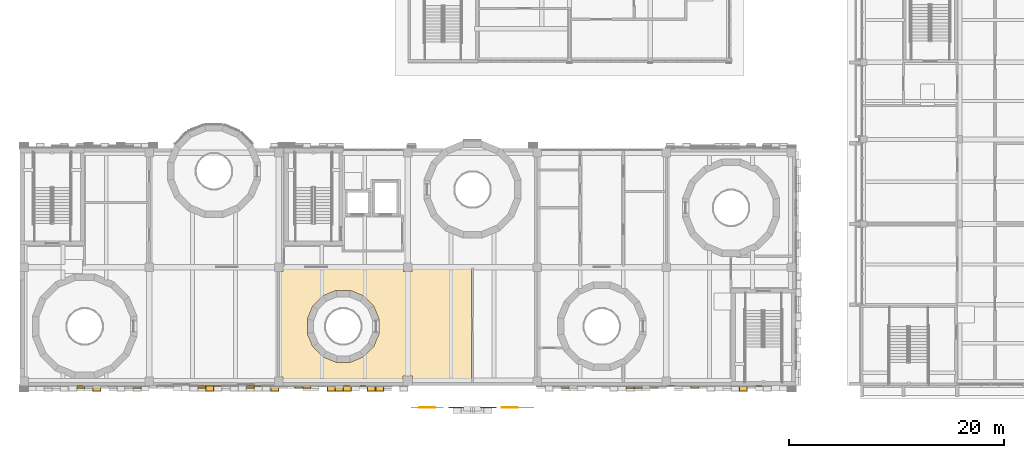
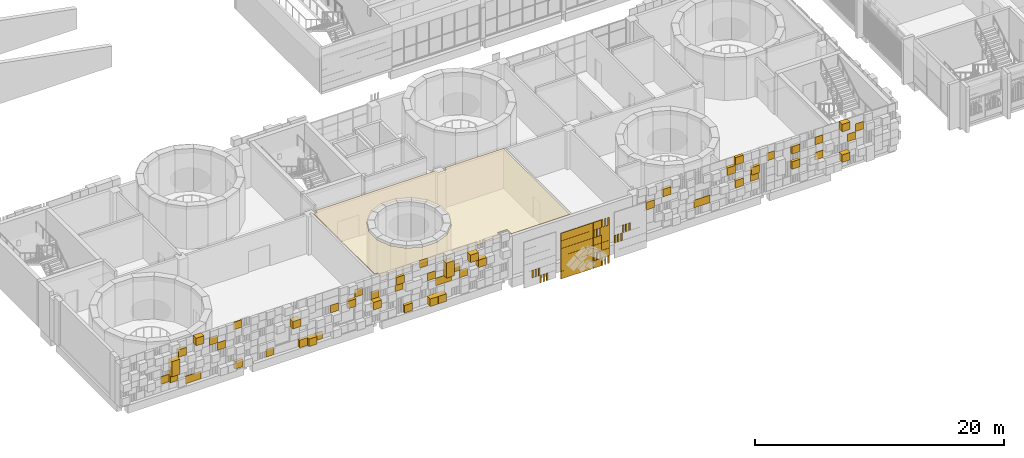
# One storey, part 64 of 92: 6 coverings.
"""IFC4 building model written with IfcOpenShell, lengths in metres."""

import ifcopenshell
import ifcopenshell.guid

model = None  # the IFC model being written
_history = None  # IfcOwnerHistory: only IFC2X3 demands one
_inside = {}  # id of a spatial element -> (the spatial element, [elements in it])
_under = {}  # id of a project, library or spatial element -> (it, [spatial elements below it])
_declared = {}  # id of a project -> (the project, [libraries it declares])
_typed = {}  # id of a type object -> (the type object, [elements of that type])
_made_of = {}  # id of a material, layer set ... -> (it, [elements and type objects made of it])


def new_model(schema):
    """Start an empty IFC model of exactly this schema.

    Asked for "IFC4X3", IfcOpenShell would pick the latest addendum, in which some entities
    have other attributes; the version numbers below select the first issue.
    IFC2X3 requires an IfcOwnerHistory on every rooted entity: one is made here for all.
    """
    global model, _history
    if schema == "IFC4X3":
        model = ifcopenshell.file(schema_version=(4, 3, 0, 0))
    else:
        model = ifcopenshell.file(schema=schema)
    _inside.clear()
    _under.clear()
    _declared.clear()
    _typed.clear()
    _made_of.clear()
    _history = None
    if model.schema == "IFC2X3":
        org = make("IfcOrganization", Name="unknown")
        user = make(
            "IfcPersonAndOrganization",
            ThePerson=make("IfcPerson", FamilyName="unknown"),
            TheOrganization=org,
        )
        app = make(
            "IfcApplication",
            ApplicationDeveloper=org,
            Version="unknown",
            ApplicationFullName="unknown",
            ApplicationIdentifier="unknown",
        )
        _history = make(
            "IfcOwnerHistory",
            OwningUser=user,
            OwningApplication=app,
            ChangeAction="ADDED",
            CreationDate=0,
        )
    return model


def make(cls, **values):
    """One entity of the class cls with the attributes given. An attribute that is None is left unset."""
    return model.create_entity(
        cls, **{name: value for name, value in values.items() if value is not None}
    )


def rooted(cls, **values):
    """An entity with a GlobalId (a new one), such as an element, a storey or a relation."""
    return make(cls, GlobalId=ifcopenshell.guid.new(), OwnerHistory=_history, **values)


def si_unit(unit_type, name, prefix=None):
    """IfcSIUnit, for example si_unit("LENGTHUNIT", "METRE", prefix="MILLI")."""
    return make("IfcSIUnit", UnitType=unit_type, Prefix=prefix, Name=name)


def assignment(units):
    """IfcUnitAssignment: the units of a project."""
    return None if units is None else make("IfcUnitAssignment", Units=units)


def point(xyz):
    """IfcCartesianPoint."""
    return None if xyz is None else make("IfcCartesianPoint", Coordinates=xyz)


def direction(xyz):
    """IfcDirection."""
    return None if xyz is None else make("IfcDirection", DirectionRatios=xyz)


def frame(location, z_axis=None, x_axis=None):
    """IfcAxis2Placement3D, a coordinate frame: its origin and axes. An axis left out is left unset."""
    return make(
        "IfcAxis2Placement3D",
        Location=point(location),
        Axis=direction(z_axis),
        RefDirection=direction(x_axis),
    )


def frame_2d(location, x_axis=None):
    """IfcAxis2Placement2D, a coordinate frame in the plane: its origin and x axis."""
    return make(
        "IfcAxis2Placement2D", Location=point(location), RefDirection=direction(x_axis)
    )


def origin():
    """The frame at (0, 0, 0) with its axes left unset."""
    return frame((0.0, 0.0, 0.0))


def origin_2d():
    """The frame at (0, 0) in the plane with its x axis left unset."""
    return frame_2d((0.0, 0.0))


def place(relative_to, where):
    """IfcLocalPlacement: puts the frame where relative to a parent placement (None: the world)."""
    return make(
        "IfcLocalPlacement", PlacementRelTo=relative_to, RelativePlacement=where
    )


def context(
    kind, dimensions, precision=None, world=None, true_north=None, identifier=None
):
    """IfcGeometricRepresentationContext, for example the 3D "Model" context."""
    return make(
        "IfcGeometricRepresentationContext",
        ContextIdentifier=identifier,
        ContextType=kind,
        CoordinateSpaceDimension=dimensions,
        Precision=precision,
        WorldCoordinateSystem=world,
        TrueNorth=true_north,
    )


def subcontext(parent, identifier, kind, view, scale=None):
    """IfcGeometricRepresentationSubContext, for example "Body" below "Model"."""
    return make(
        "IfcGeometricRepresentationSubContext",
        ContextIdentifier=identifier,
        ContextType=kind,
        ParentContext=parent,
        TargetScale=scale,
        TargetView=view,
    )


def project(units=None, contexts=None):
    """IfcProject with its units and contexts."""
    return rooted(
        "IfcProject",
        Name="project",
        RepresentationContexts=contexts,
        UnitsInContext=assignment(units),
    )


def spatial(cls, under=None, at=None, **own):
    """A site, building, storey or space (cls), placed at a placement, below another one or the project."""
    s = rooted(cls, ObjectPlacement=at, **own)
    if under is not None:
        _under.setdefault(under.id(), (under, []))[1].append(s)
    return s


def polyline(points):
    """IfcPolyline through the points."""
    return make("IfcPolyline", Points=[point(p) for p in points])


def profile(cls, at=None, kind="AREA", **sizes):
    """A parametric profile (cls). Its sizes go by their IFC names, for example OverallWidth=200.0."""
    return make(cls, ProfileType=kind, Position=at, **sizes)


def rectangle(**sizes):
    """IfcRectangleProfileDef."""
    return profile("IfcRectangleProfileDef", **sizes)


def outline(outer, holes=None, kind="AREA"):
    """IfcArbitraryClosedProfileDef: a profile drawn as a closed curve; with holes, ...WithVoids."""
    if holes is None:
        return make("IfcArbitraryClosedProfileDef", ProfileType=kind, OuterCurve=outer)
    return make(
        "IfcArbitraryProfileDefWithVoids",
        ProfileType=kind,
        OuterCurve=outer,
        InnerCurves=holes,
    )


def extrude(swept, where, along, depth):
    """IfcExtrudedAreaSolid: the profile swept, set in the frame where, extruded along a direction by depth."""
    return make(
        "IfcExtrudedAreaSolid",
        SweptArea=swept,
        Position=where,
        ExtrudedDirection=direction(along),
        Depth=depth,
    )


def shape(context_of_items, identifier, shape_type, items):
    """IfcShapeRepresentation: the items that make up one representation, for example the "Body"."""
    return make(
        "IfcShapeRepresentation",
        ContextOfItems=context_of_items,
        RepresentationIdentifier=identifier,
        RepresentationType=shape_type,
        Items=items,
    )


def material(Name=None, Category=None):
    """IfcMaterial."""
    return make("IfcMaterial", Name=Name, Category=Category)


def layer(
    of_material, thickness, ventilated=None, Name=None, Category=None, Priority=None
):
    """IfcMaterialLayer: one layer of a wall or slab, of a material (None: an air gap)."""
    return make(
        "IfcMaterialLayer",
        Material=of_material,
        LayerThickness=thickness,
        IsVentilated=ventilated,
        Name=Name,
        Category=Category,
        Priority=Priority,
    )


def layer_set(layers, Name=None):
    """IfcMaterialLayerSet."""
    return make("IfcMaterialLayerSet", MaterialLayers=layers, LayerSetName=Name)


def made_of(thing, what):
    """Note that an element or type object is made of a material, layer set ...; save() writes the relation."""
    if what is not None:
        _made_of.setdefault(what.id(), (what, []))[1].append(thing)
    return thing


def type_object(cls, material=None, **own):
    """A type object (cls), such as IfcWallType, which elements share."""
    return made_of(rooted(cls, **own), material)


def element(
    cls,
    number,
    at=None,
    inside=None,
    cuts=None,
    type_object=None,
    material=None,
    context=None,
    identifier="Body",
    shape_type=None,
    held_by="IfcProductDefinitionShape",
    body=None,
    shapes=None,
    **own,
):
    """One element of the class cls, such as IfcWall. Its Tag is "e" and its number.

    at: its placement. inside: the storey or other place that contains it. cuts: it is an
    opening in that element (IfcRelVoidsElement). A single representation is given by context,
    identifier, shape_type and body (its items); several are given by shapes. held_by: the class
    of the entity that holds the representations. save() writes the other relations.
    """
    e = rooted(cls, Tag="e%d" % number, ObjectPlacement=at, **own)
    if body is not None:
        shapes = [shape(context, identifier, shape_type, body)]
    if shapes is not None:
        e.Representation = make(held_by, Representations=shapes)
    if inside is not None:
        _inside.setdefault(inside.id(), (inside, []))[1].append(e)
    if cuts is not None:
        rooted(
            "IfcRelVoidsElement", RelatingBuildingElement=cuts, RelatedOpeningElement=e
        )
    if type_object is not None:
        _typed.setdefault(type_object.id(), (type_object, []))[1].append(e)
    return made_of(e, material)


def aggregate(whole, parts):
    """IfcRelAggregates: a whole, such as a stair, and the parts it consists of."""
    return rooted("IfcRelAggregates", RelatingObject=whole, RelatedObjects=parts)


def save(model, path):
    """Write the relations noted so far, then the file.

    IfcRelAggregates (storeys below a building ...), IfcRelContainedInSpatialStructure (elements
    in a storey), IfcRelDefinesByType, IfcRelAssociatesMaterial and IfcRelDeclares: one each for
    every whole, place, type object, material and project.
    """
    for whole, parts in _under.values():
        aggregate(whole, parts)
    for where, things in _inside.values():
        rooted(
            "IfcRelContainedInSpatialStructure",
            RelatedElements=things,
            RelatingStructure=where,
        )
    for kind, things in _typed.values():
        rooted("IfcRelDefinesByType", RelatedObjects=things, RelatingType=kind)
    for what, things in _made_of.values():
        rooted("IfcRelAssociatesMaterial", RelatedObjects=things, RelatingMaterial=what)
    for by, libraries in _declared.values():
        rooted("IfcRelDeclares", RelatingContext=by, RelatedDefinitions=libraries)
    model.write(path)


model = new_model("IFC4")

# Units and contexts
model_context = context("Model", 3, precision=1e-05, world=origin(), true_north=direction((0.0, 1.0)))
body_context = subcontext(model_context, "Body", "Model", "MODEL_VIEW")
ifc_project = project(units=[si_unit("LENGTHUNIT", "METRE"), si_unit("AREAUNIT", "SQUARE_METRE"), si_unit("VOLUMEUNIT", "CUBIC_METRE"), si_unit("PLANEANGLEUNIT", "RADIAN"), si_unit("MASSUNIT", "GRAM", prefix="KILO")], contexts=[model_context])

# Site, building, storey
site_placement = place(None, origin())
site = spatial("IfcSite", under=ifc_project, at=site_placement, CompositionType="ELEMENT")
building_placement = place(site_placement, origin())
building = spatial("IfcBuilding", under=site, at=building_placement, Name="Sun Court Science Centre", CompositionType="ELEMENT")
storey_placement = place(building_placement, frame((0.0, 0.0, 11.25)))
storey = spatial("IfcBuildingStorey", under=building, at=storey_placement, Name="L02", CompositionType="ELEMENT", Elevation=11.25)

# Coverings
ifc_material_1 = material(Name="Gypsum board")
ifc_layer_1 = layer(ifc_material_1, 0.030029296875)
ifc_layer_set_1 = layer_set([ifc_layer_1], Name="Gypsum board")
covering_type_1 = type_object("IfcCoveringType", Name="Ceiling suspended 600 module", PredefinedType="CEILING", material=ifc_layer_set_1)
covering_1_placement = place(storey_placement, frame((0.0, 0.0, 3.919921875)))
element("IfcCovering", 1, at=covering_1_placement, inside=storey, type_object=covering_type_1, Name="L02-016 ceiling", PredefinedType="CEILING", context=body_context, shape_type="SweptSolid", body=[
    extrude(outline(polyline([(24.10009765625, 16.60009765625), (24.39990234375, 16.60009765625), (24.39990234375, 16.89990234375), (35.60009765625, 16.89990234375), (35.60009765625, 16.60009765625), (36.39990234375, 16.60009765625), (36.39990234375, 16.89990234375), (41.89990234375, 16.89990234375), (41.89990234375, 6.199951171875), (36.449951171875, 6.199951171875), (36.449951171875, 6.89990234375), (35.550048828125, 6.89990234375), (35.550048828125, 6.199951171875), (24.39990234375, 6.199951171875), (24.39990234375, 6.800048828125), (24.10009765625, 6.800048828125), (24.10009765625, 16.60009765625)]), holes=[polyline([(31.888916015625, 14.326904296875), (30.663330078125, 14.834716796875), (29.336669921875, 14.834716796875), (28.111083984375, 14.326904296875), (27.173095703125, 13.388916015625), (26.665283203125, 12.163330078125), (26.665283203125, 10.836669921875), (27.173095703125, 9.611083984375), (28.111083984375, 8.673095703125), (29.336669921875, 8.165283203125), (30.663330078125, 8.165283203125), (31.888916015625, 8.673095703125), (32.826904296875, 9.611083984375), (33.334716796875, 10.836669921875), (33.334716796875, 12.163330078125), (32.826904296875, 13.388916015625), (31.888916015625, 14.326904296875)])]), origin(), (0.0, 0.0, 1.0), 0.030029296875),
])
ifc_material_2 = material(Name="Red sandstone", Category="masonry")
ifc_layer_2 = layer(ifc_material_2, 0.06005859375)
ifc_layer_set_2 = layer_set([ifc_layer_2], Name="Red sandstone")
covering_type_2 = type_object("IfcCoveringType", Name="Red sandstone jali relief 750", PredefinedType="CLADDING", material=ifc_layer_set_2)
covering_2_placement = place(storey_placement, frame((0.0, 0.0, -11.25)))
element("IfcCovering", 2, at=covering_2_placement, inside=storey, type_object=covering_type_2, Name="Red sandstone jali relief portal-PORTAL-L L02", PredefinedType="CLADDING", context=body_context, shape_type="SweptSolid", body=[
    extrude(rectangle(XDim=0.139892578125, YDim=0.06005859375, at=origin_2d()), frame((38.47509765625, 3.969970703125, 11.2548828125), z_axis=(0.0, 0.0, 1.0), x_axis=(-1.0, 0.0, 0.0)), (0.0, 0.0, 1.0), 0.739990234375),
    extrude(rectangle(XDim=0.139892578125, YDim=0.06005859375, at=origin_2d()), frame((38.175048828125, 3.969970703125, 11.2548828125), z_axis=(0.0, 0.0, 1.0), x_axis=(-1.0, 0.0, 0.0)), (0.0, 0.0, 1.0), 0.739990234375),
    extrude(rectangle(XDim=0.139892578125, YDim=0.06005859375, at=origin_2d()), frame((37.875, 3.969970703125, 11.2548828125), z_axis=(0.0, 0.0, 1.0), x_axis=(-1.0, 0.0, 0.0)), (0.0, 0.0, 1.0), 0.739990234375),
    extrude(rectangle(XDim=0.139892578125, YDim=0.06005859375, at=origin_2d()), frame((37.72509765625, 3.969970703125, 12.0048828125), z_axis=(0.0, 0.0, 1.0), x_axis=(-1.0, 0.0, 0.0)), (0.0, 0.0, 1.0), 0.739990234375),
    extrude(rectangle(XDim=0.139892578125, YDim=0.06005859375, at=origin_2d()), frame((37.425048828125, 3.969970703125, 12.0048828125), z_axis=(0.0, 0.0, 1.0), x_axis=(-1.0, 0.0, 0.0)), (0.0, 0.0, 1.0), 0.739990234375),
    extrude(rectangle(XDim=0.139892578125, YDim=0.06005859375, at=origin_2d()), frame((37.125, 3.969970703125, 12.0048828125), z_axis=(0.0, 0.0, 1.0), x_axis=(-1.0, 0.0, 0.0)), (0.0, 0.0, 1.0), 0.739990234375),
])
covering_3_placement = place(storey_placement, frame((0.0, 0.0, -11.25)))
element("IfcCovering", 3, at=covering_3_placement, inside=storey, type_object=covering_type_2, Name="Red sandstone jali relief portal-PORTAL-R L02", PredefinedType="CLADDING", context=body_context, shape_type="SweptSolid", body=[
    extrude(rectangle(XDim=0.139892578125, YDim=0.06005859375, at=origin_2d()), frame((45.375, 3.969970703125, 12.7548828125), z_axis=(0.0, 0.0, 1.0), x_axis=(-1.0, 0.0, 0.0)), (0.0, 0.0, 1.0), 0.739990234375),
    extrude(rectangle(XDim=0.139892578125, YDim=0.06005859375, at=origin_2d()), frame((45.074951171875, 3.969970703125, 12.7548828125), z_axis=(0.0, 0.0, 1.0), x_axis=(-1.0, 0.0, 0.0)), (0.0, 0.0, 1.0), 0.739990234375),
    extrude(rectangle(XDim=0.139892578125, YDim=0.06005859375, at=origin_2d()), frame((44.77490234375, 3.969970703125, 12.7548828125), z_axis=(0.0, 0.0, 1.0), x_axis=(-1.0, 0.0, 0.0)), (0.0, 0.0, 1.0), 0.739990234375),
    extrude(rectangle(XDim=0.139892578125, YDim=0.06005859375, at=origin_2d()), frame((46.125, 3.969970703125, 13.5048828125), z_axis=(0.0, 0.0, 1.0), x_axis=(-1.0, 0.0, 0.0)), (0.0, 0.0, 1.0), 0.739990234375),
    extrude(rectangle(XDim=0.139892578125, YDim=0.06005859375, at=origin_2d()), frame((45.824951171875, 3.969970703125, 13.5048828125), z_axis=(0.0, 0.0, 1.0), x_axis=(-1.0, 0.0, 0.0)), (0.0, 0.0, 1.0), 0.739990234375),
    extrude(rectangle(XDim=0.139892578125, YDim=0.06005859375, at=origin_2d()), frame((45.52490234375, 3.969970703125, 13.5048828125), z_axis=(0.0, 0.0, 1.0), x_axis=(-1.0, 0.0, 0.0)), (0.0, 0.0, 1.0), 0.739990234375),
])
covering_4_placement = place(storey_placement, frame((0.0, 0.0, -11.25)))
element("IfcCovering", 4, at=covering_4_placement, inside=storey, type_object=covering_type_2, Name="Red sandstone jali relief portal-PORTAL-H L02", PredefinedType="CLADDING", context=body_context, shape_type="SweptSolid", body=[
    extrude(rectangle(XDim=0.139892578125, YDim=0.06005859375, at=origin_2d()), frame((44.175048828125, 3.969970703125, 10.955078125), z_axis=(0.0, 0.0, 1.0), x_axis=(-1.0, 0.0, 0.0)), (0.0, 0.0, 1.0), 0.739990234375),
    extrude(rectangle(XDim=0.139892578125, YDim=0.06005859375, at=origin_2d()), frame((43.875, 3.969970703125, 10.955078125), z_axis=(0.0, 0.0, 1.0), x_axis=(-1.0, 0.0, 0.0)), (0.0, 0.0, 1.0), 0.739990234375),
    extrude(rectangle(XDim=0.139892578125, YDim=0.06005859375, at=origin_2d()), frame((43.574951171875, 3.969970703125, 10.955078125), z_axis=(0.0, 0.0, 1.0), x_axis=(-1.0, 0.0, 0.0)), (0.0, 0.0, 1.0), 0.739990234375),
    extrude(rectangle(XDim=0.139892578125, YDim=0.06005859375, at=origin_2d()), frame((43.425048828125, 3.969970703125, 11.705078125), z_axis=(0.0, 0.0, 1.0), x_axis=(-1.0, 0.0, 0.0)), (0.0, 0.0, 1.0), 0.739990234375),
    extrude(rectangle(XDim=0.139892578125, YDim=0.06005859375, at=origin_2d()), frame((43.125, 3.969970703125, 11.705078125), z_axis=(0.0, 0.0, 1.0), x_axis=(-1.0, 0.0, 0.0)), (0.0, 0.0, 1.0), 0.739990234375),
    extrude(rectangle(XDim=0.139892578125, YDim=0.06005859375, at=origin_2d()), frame((42.824951171875, 3.969970703125, 11.705078125), z_axis=(0.0, 0.0, 1.0), x_axis=(-1.0, 0.0, 0.0)), (0.0, 0.0, 1.0), 0.739990234375),
    extrude(rectangle(XDim=0.139892578125, YDim=0.06005859375, at=origin_2d()), frame((43.425048828125, 3.969970703125, 13.955078125), z_axis=(0.0, 0.0, 1.0), x_axis=(-1.0, 0.0, 0.0)), (0.0, 0.0, 1.0), 0.739990234375),
    extrude(rectangle(XDim=0.139892578125, YDim=0.06005859375, at=origin_2d()), frame((43.125, 3.969970703125, 13.955078125), z_axis=(0.0, 0.0, 1.0), x_axis=(-1.0, 0.0, 0.0)), (0.0, 0.0, 1.0), 0.739990234375),
    extrude(rectangle(XDim=0.139892578125, YDim=0.06005859375, at=origin_2d()), frame((42.824951171875, 3.969970703125, 13.955078125), z_axis=(0.0, 0.0, 1.0), x_axis=(-1.0, 0.0, 0.0)), (0.0, 0.0, 1.0), 0.739990234375),
    extrude(rectangle(XDim=0.139892578125, YDim=0.06005859375, at=origin_2d()), frame((44.175048828125, 3.969970703125, 14.705078125), z_axis=(0.0, 0.0, 1.0), x_axis=(-1.0, 0.0, 0.0)), (0.0, 0.0, 1.0), 0.739990234375),
    extrude(rectangle(XDim=0.139892578125, YDim=0.06005859375, at=origin_2d()), frame((43.875, 3.969970703125, 14.705078125), z_axis=(0.0, 0.0, 1.0), x_axis=(-1.0, 0.0, 0.0)), (0.0, 0.0, 1.0), 0.739990234375),
    extrude(rectangle(XDim=0.139892578125, YDim=0.06005859375, at=origin_2d()), frame((43.574951171875, 3.969970703125, 14.705078125), z_axis=(0.0, 0.0, 1.0), x_axis=(-1.0, 0.0, 0.0)), (0.0, 0.0, 1.0), 0.739990234375),
    extrude(rectangle(XDim=0.739990234375, YDim=0.06005859375, at=origin_2d()), frame((43.875, 3.969970703125, 11.705078125), z_axis=(0.0, 0.0, 1.0), x_axis=(-1.0, 0.0, 0.0)), (0.0, 0.0, 1.0), 0.739990234375),
    extrude(rectangle(XDim=0.739990234375, YDim=0.06005859375, at=origin_2d()), frame((43.875, 3.969970703125, 12.455078125), z_axis=(0.0, 0.0, 1.0), x_axis=(-1.0, 0.0, 0.0)), (0.0, 0.0, 1.0), 0.739990234375),
    extrude(rectangle(XDim=0.739990234375, YDim=0.06005859375, at=origin_2d()), frame((43.875, 3.969970703125, 13.205078125), z_axis=(0.0, 0.0, 1.0), x_axis=(-1.0, 0.0, 0.0)), (0.0, 0.0, 1.0), 0.739990234375),
    extrude(rectangle(XDim=0.739990234375, YDim=0.06005859375, at=origin_2d()), frame((43.875, 3.969970703125, 13.955078125), z_axis=(0.0, 0.0, 1.0), x_axis=(-1.0, 0.0, 0.0)), (0.0, 0.0, 1.0), 0.739990234375),
])
ifc_material_3 = material(Name="Red sandstone", Category="masonry")
ifc_layer_3 = layer(ifc_material_3, 0.06005859375)
ifc_layer_set_3 = layer_set([ifc_layer_3], Name="Red sandstone")
covering_type_3 = type_object("IfcCoveringType", Name="Red sandstone wall cladding 750", PredefinedType="CLADDING", material=ifc_layer_set_3)
covering_5_placement = place(storey_placement, frame((0.0, 0.0, -11.25)))
element("IfcCovering", 5, at=covering_5_placement, inside=storey, type_object=covering_type_3, Name="Red sandstone wall cladding portal-PORTAL-H L02", PredefinedType="CLADDING", context=body_context, shape_type="SweptSolid", body=[
    extrude(rectangle(XDim=0.739990234375, YDim=0.06005859375, at=origin_2d()), frame((43.125, 3.969970703125, 10.955078125), z_axis=(0.0, 0.0, 1.0), x_axis=(-1.0, 0.0, 0.0)), (0.0, 0.0, 1.0), 0.739990234375),
    extrude(rectangle(XDim=0.739990234375, YDim=0.06005859375, at=origin_2d()), frame((42.375, 3.969970703125, 10.955078125), z_axis=(0.0, 0.0, 1.0), x_axis=(-1.0, 0.0, 0.0)), (0.0, 0.0, 1.0), 0.739990234375),
    extrude(rectangle(XDim=0.739990234375, YDim=0.06005859375, at=origin_2d()), frame((41.625, 3.969970703125, 10.955078125), z_axis=(0.0, 0.0, 1.0), x_axis=(-1.0, 0.0, 0.0)), (0.0, 0.0, 1.0), 0.739990234375),
    extrude(rectangle(XDim=0.739990234375, YDim=0.06005859375, at=origin_2d()), frame((40.875, 3.969970703125, 10.955078125), z_axis=(0.0, 0.0, 1.0), x_axis=(-1.0, 0.0, 0.0)), (0.0, 0.0, 1.0), 0.739990234375),
    extrude(rectangle(XDim=0.739990234375, YDim=0.06005859375, at=origin_2d()), frame((40.125, 3.969970703125, 10.955078125), z_axis=(0.0, 0.0, 1.0), x_axis=(-1.0, 0.0, 0.0)), (0.0, 0.0, 1.0), 0.739990234375),
    extrude(rectangle(XDim=0.739990234375, YDim=0.06005859375, at=origin_2d()), frame((42.375, 3.969970703125, 11.705078125), z_axis=(0.0, 0.0, 1.0), x_axis=(-1.0, 0.0, 0.0)), (0.0, 0.0, 1.0), 0.739990234375),
    extrude(rectangle(XDim=0.739990234375, YDim=0.06005859375, at=origin_2d()), frame((41.625, 3.969970703125, 11.705078125), z_axis=(0.0, 0.0, 1.0), x_axis=(-1.0, 0.0, 0.0)), (0.0, 0.0, 1.0), 0.739990234375),
    extrude(rectangle(XDim=0.739990234375, YDim=0.06005859375, at=origin_2d()), frame((40.875, 3.969970703125, 11.705078125), z_axis=(0.0, 0.0, 1.0), x_axis=(-1.0, 0.0, 0.0)), (0.0, 0.0, 1.0), 0.739990234375),
    extrude(rectangle(XDim=0.739990234375, YDim=0.06005859375, at=origin_2d()), frame((40.125, 3.969970703125, 11.705078125), z_axis=(0.0, 0.0, 1.0), x_axis=(-1.0, 0.0, 0.0)), (0.0, 0.0, 1.0), 0.739990234375),
    extrude(rectangle(XDim=0.739990234375, YDim=0.06005859375, at=origin_2d()), frame((43.125, 3.969970703125, 12.455078125), z_axis=(0.0, 0.0, 1.0), x_axis=(-1.0, 0.0, 0.0)), (0.0, 0.0, 1.0), 0.739990234375),
    extrude(rectangle(XDim=0.739990234375, YDim=0.06005859375, at=origin_2d()), frame((42.375, 3.969970703125, 12.455078125), z_axis=(0.0, 0.0, 1.0), x_axis=(-1.0, 0.0, 0.0)), (0.0, 0.0, 1.0), 0.739990234375),
    extrude(rectangle(XDim=0.739990234375, YDim=0.06005859375, at=origin_2d()), frame((41.625, 3.969970703125, 12.455078125), z_axis=(0.0, 0.0, 1.0), x_axis=(-1.0, 0.0, 0.0)), (0.0, 0.0, 1.0), 0.739990234375),
    extrude(rectangle(XDim=0.739990234375, YDim=0.06005859375, at=origin_2d()), frame((40.875, 3.969970703125, 12.455078125), z_axis=(0.0, 0.0, 1.0), x_axis=(-1.0, 0.0, 0.0)), (0.0, 0.0, 1.0), 0.739990234375),
    extrude(rectangle(XDim=0.739990234375, YDim=0.06005859375, at=origin_2d()), frame((40.125, 3.969970703125, 12.455078125), z_axis=(0.0, 0.0, 1.0), x_axis=(-1.0, 0.0, 0.0)), (0.0, 0.0, 1.0), 0.739990234375),
    extrude(rectangle(XDim=0.739990234375, YDim=0.06005859375, at=origin_2d()), frame((43.125, 3.969970703125, 13.205078125), z_axis=(0.0, 0.0, 1.0), x_axis=(-1.0, 0.0, 0.0)), (0.0, 0.0, 1.0), 0.739990234375),
    extrude(rectangle(XDim=0.739990234375, YDim=0.06005859375, at=origin_2d()), frame((42.375, 3.969970703125, 13.205078125), z_axis=(0.0, 0.0, 1.0), x_axis=(-1.0, 0.0, 0.0)), (0.0, 0.0, 1.0), 0.739990234375),
    extrude(rectangle(XDim=0.739990234375, YDim=0.06005859375, at=origin_2d()), frame((41.625, 3.969970703125, 13.205078125), z_axis=(0.0, 0.0, 1.0), x_axis=(-1.0, 0.0, 0.0)), (0.0, 0.0, 1.0), 0.739990234375),
    extrude(rectangle(XDim=0.739990234375, YDim=0.06005859375, at=origin_2d()), frame((40.875, 3.969970703125, 13.205078125), z_axis=(0.0, 0.0, 1.0), x_axis=(-1.0, 0.0, 0.0)), (0.0, 0.0, 1.0), 0.739990234375),
    extrude(rectangle(XDim=0.739990234375, YDim=0.06005859375, at=origin_2d()), frame((40.125, 3.969970703125, 13.205078125), z_axis=(0.0, 0.0, 1.0), x_axis=(-1.0, 0.0, 0.0)), (0.0, 0.0, 1.0), 0.739990234375),
    extrude(rectangle(XDim=0.739990234375, YDim=0.06005859375, at=origin_2d()), frame((42.375, 3.969970703125, 13.955078125), z_axis=(0.0, 0.0, 1.0), x_axis=(-1.0, 0.0, 0.0)), (0.0, 0.0, 1.0), 0.739990234375),
    extrude(rectangle(XDim=0.739990234375, YDim=0.06005859375, at=origin_2d()), frame((41.625, 3.969970703125, 13.955078125), z_axis=(0.0, 0.0, 1.0), x_axis=(-1.0, 0.0, 0.0)), (0.0, 0.0, 1.0), 0.739990234375),
    extrude(rectangle(XDim=0.739990234375, YDim=0.06005859375, at=origin_2d()), frame((40.875, 3.969970703125, 13.955078125), z_axis=(0.0, 0.0, 1.0), x_axis=(-1.0, 0.0, 0.0)), (0.0, 0.0, 1.0), 0.739990234375),
    extrude(rectangle(XDim=0.739990234375, YDim=0.06005859375, at=origin_2d()), frame((40.125, 3.969970703125, 13.955078125), z_axis=(0.0, 0.0, 1.0), x_axis=(-1.0, 0.0, 0.0)), (0.0, 0.0, 1.0), 0.739990234375),
    extrude(rectangle(XDim=0.739990234375, YDim=0.06005859375, at=origin_2d()), frame((43.125, 3.969970703125, 14.705078125), z_axis=(0.0, 0.0, 1.0), x_axis=(-1.0, 0.0, 0.0)), (0.0, 0.0, 1.0), 0.739990234375),
    extrude(rectangle(XDim=0.739990234375, YDim=0.06005859375, at=origin_2d()), frame((42.375, 3.969970703125, 14.705078125), z_axis=(0.0, 0.0, 1.0), x_axis=(-1.0, 0.0, 0.0)), (0.0, 0.0, 1.0), 0.739990234375),
    extrude(rectangle(XDim=0.739990234375, YDim=0.06005859375, at=origin_2d()), frame((41.625, 3.969970703125, 14.705078125), z_axis=(0.0, 0.0, 1.0), x_axis=(-1.0, 0.0, 0.0)), (0.0, 0.0, 1.0), 0.739990234375),
    extrude(rectangle(XDim=0.739990234375, YDim=0.06005859375, at=origin_2d()), frame((40.875, 3.969970703125, 14.705078125), z_axis=(0.0, 0.0, 1.0), x_axis=(-1.0, 0.0, 0.0)), (0.0, 0.0, 1.0), 0.739990234375),
    extrude(rectangle(XDim=0.739990234375, YDim=0.06005859375, at=origin_2d()), frame((40.125, 3.969970703125, 14.705078125), z_axis=(0.0, 0.0, 1.0), x_axis=(-1.0, 0.0, 0.0)), (0.0, 0.0, 1.0), 0.739990234375),
])
ifc_material_4 = material(Name="Terracotta shade 4", Category="masonry")
ifc_layer_4 = layer(ifc_material_4, 0.06005859375)
ifc_layer_set_4 = layer_set([ifc_layer_4], Name="Terracotta shade 4")
covering_type_4 = type_object("IfcCoveringType", Name="Terracotta pixel panel shade 4", PredefinedType="CLADDING", material=ifc_layer_set_4)
covering_6_placement = place(storey_placement, frame((0.0, 0.0, -11.25)))
element("IfcCovering", 6, at=covering_6_placement, inside=storey, type_object=covering_type_4, Name="Terracotta pixel cladding shade 4 south face L02", PredefinedType="CLADDING", context=body_context, shape_type="SweptSolid", body=[
    extrude(rectangle(XDim=0.739990234375, YDim=0.510009765625, at=origin_2d()), frame((29.625, 5.7451171875, 11.2548828125), z_axis=(0.0, 0.0, 1.0), x_axis=(-1.0, 0.0, 0.0)), (0.0, 0.0, 1.0), 0.739990234375),
    extrude(rectangle(XDim=0.739990234375, YDim=0.510009765625, at=origin_2d()), frame((28.875, 5.7451171875, 11.2548828125), z_axis=(0.0, 0.0, 1.0), x_axis=(-1.0, 0.0, 0.0)), (0.0, 0.0, 1.0), 0.739990234375),
    extrude(rectangle(XDim=0.739990234375, YDim=0.260009765625, at=origin_2d()), frame((26.625, 5.8701171875, 11.2548828125), z_axis=(0.0, 0.0, 1.0), x_axis=(-1.0, 0.0, 0.0)), (0.0, 0.0, 1.0), 0.739990234375),
    extrude(rectangle(XDim=0.739990234375, YDim=0.06005859375, at=origin_2d()), frame((18.375, 5.969970703125, 11.2548828125), z_axis=(0.0, 0.0, 1.0), x_axis=(-1.0, 0.0, 0.0)), (0.0, 0.0, 1.0), 0.739990234375),
    extrude(rectangle(XDim=0.739990234375, YDim=0.510009765625, at=origin_2d()), frame((17.625, 5.7451171875, 11.2548828125), z_axis=(0.0, 0.0, 1.0), x_axis=(-1.0, 0.0, 0.0)), (0.0, 0.0, 1.0), 0.739990234375),
    extrude(rectangle(XDim=0.739990234375, YDim=0.260009765625, at=origin_2d()), frame((16.875, 5.8701171875, 11.2548828125), z_axis=(0.0, 0.0, 1.0), x_axis=(-1.0, 0.0, 0.0)), (0.0, 0.0, 1.0), 0.739990234375),
    extrude(rectangle(XDim=0.739990234375, YDim=0.06005859375, at=origin_2d()), frame((13.875, 5.969970703125, 11.2548828125), z_axis=(0.0, 0.0, 1.0), x_axis=(-1.0, 0.0, 0.0)), (0.0, 0.0, 1.0), 0.739990234375),
    extrude(rectangle(XDim=0.739990234375, YDim=0.260009765625, at=origin_2d()), frame((10.875, 5.8701171875, 11.2548828125), z_axis=(0.0, 0.0, 1.0), x_axis=(-1.0, 0.0, 0.0)), (0.0, 0.0, 1.0), 0.739990234375),
    extrude(rectangle(XDim=0.739990234375, YDim=0.06005859375, at=origin_2d()), frame((7.125, 5.969970703125, 11.2548828125), z_axis=(0.0, 0.0, 1.0), x_axis=(-1.0, 0.0, 0.0)), (0.0, 0.0, 1.0), 0.739990234375),
    extrude(rectangle(XDim=0.739990234375, YDim=0.06005859375, at=origin_2d()), frame((6.375, 5.969970703125, 11.2548828125), z_axis=(0.0, 0.0, 1.0), x_axis=(-1.0, 0.0, 0.0)), (0.0, 0.0, 1.0), 0.739990234375),
    extrude(rectangle(XDim=0.739990234375, YDim=0.510009765625, at=origin_2d()), frame((67.125, 5.7451171875, 12.0048828125), z_axis=(0.0, 0.0, 1.0), x_axis=(-1.0, 0.0, 0.0)), (0.0, 0.0, 1.0), 0.739990234375),
    extrude(rectangle(XDim=0.739990234375, YDim=0.06005859375, at=origin_2d()), frame((54.375, 5.969970703125, 12.0048828125), z_axis=(0.0, 0.0, 1.0), x_axis=(-1.0, 0.0, 0.0)), (0.0, 0.0, 1.0), 0.739990234375),
    extrude(rectangle(XDim=0.739990234375, YDim=0.06005859375, at=origin_2d()), frame((53.625, 5.969970703125, 12.0048828125), z_axis=(0.0, 0.0, 1.0), x_axis=(-1.0, 0.0, 0.0)), (0.0, 0.0, 1.0), 0.739990234375),
    extrude(rectangle(XDim=0.739990234375, YDim=0.260009765625, at=origin_2d()), frame((4.875, 5.8701171875, 12.0048828125), z_axis=(0.0, 0.0, 1.0), x_axis=(-1.0, 0.0, 0.0)), (0.0, 0.0, 1.0), 0.739990234375),
    extrude(rectangle(XDim=0.739990234375, YDim=0.06005859375, at=origin_2d()), frame((4.125, 5.969970703125, 12.0048828125), z_axis=(0.0, 0.0, 1.0), x_axis=(-1.0, 0.0, 0.0)), (0.0, 0.0, 1.0), 0.739990234375),
    extrude(rectangle(XDim=0.739990234375, YDim=0.06005859375, at=origin_2d()), frame((64.875, 5.969970703125, 12.7548828125), z_axis=(0.0, 0.0, 1.0), x_axis=(-1.0, 0.0, 0.0)), (0.0, 0.0, 1.0), 0.739990234375),
    extrude(rectangle(XDim=0.739990234375, YDim=0.260009765625, at=origin_2d()), frame((62.625, 5.8701171875, 12.7548828125), z_axis=(0.0, 0.0, 1.0), x_axis=(-1.0, 0.0, 0.0)), (0.0, 0.0, 1.0), 0.739990234375),
    extrude(rectangle(XDim=0.739990234375, YDim=0.06005859375, at=origin_2d()), frame((58.875, 5.969970703125, 12.7548828125), z_axis=(0.0, 0.0, 1.0), x_axis=(-1.0, 0.0, 0.0)), (0.0, 0.0, 1.0), 0.739990234375),
    extrude(rectangle(XDim=0.739990234375, YDim=0.260009765625, at=origin_2d()), frame((57.375, 5.8701171875, 12.7548828125), z_axis=(0.0, 0.0, 1.0), x_axis=(-1.0, 0.0, 0.0)), (0.0, 0.0, 1.0), 0.739990234375),
    extrude(rectangle(XDim=0.739990234375, YDim=0.06005859375, at=origin_2d()), frame((31.875, 5.969970703125, 12.7548828125), z_axis=(0.0, 0.0, 1.0), x_axis=(-1.0, 0.0, 0.0)), (0.0, 0.0, 1.0), 0.739990234375),
    extrude(rectangle(XDim=0.739990234375, YDim=0.06005859375, at=origin_2d()), frame((30.375, 5.969970703125, 12.7548828125), z_axis=(0.0, 0.0, 1.0), x_axis=(-1.0, 0.0, 0.0)), (0.0, 0.0, 1.0), 0.739990234375),
    extrude(rectangle(XDim=0.739990234375, YDim=0.06005859375, at=origin_2d()), frame((29.625, 5.969970703125, 12.7548828125), z_axis=(0.0, 0.0, 1.0), x_axis=(-1.0, 0.0, 0.0)), (0.0, 0.0, 1.0), 0.739990234375),
    extrude(rectangle(XDim=0.739990234375, YDim=0.510009765625, at=origin_2d()), frame((23.625, 5.7451171875, 12.7548828125), z_axis=(0.0, 0.0, 1.0), x_axis=(-1.0, 0.0, 0.0)), (0.0, 0.0, 1.0), 0.739990234375),
    extrude(rectangle(XDim=0.739990234375, YDim=0.510009765625, at=origin_2d()), frame((4.875, 5.7451171875, 12.7548828125), z_axis=(0.0, 0.0, 1.0), x_axis=(-1.0, 0.0, 0.0)), (0.0, 0.0, 1.0), 0.739990234375),
    extrude(rectangle(XDim=0.739990234375, YDim=0.06005859375, at=origin_2d()), frame((67.875, 5.969970703125, 13.5048828125), z_axis=(0.0, 0.0, 1.0), x_axis=(-1.0, 0.0, 0.0)), (0.0, 0.0, 1.0), 0.739990234375),
    extrude(rectangle(XDim=0.739990234375, YDim=0.260009765625, at=origin_2d()), frame((58.875, 5.8701171875, 13.5048828125), z_axis=(0.0, 0.0, 1.0), x_axis=(-1.0, 0.0, 0.0)), (0.0, 0.0, 1.0), 0.739990234375),
    extrude(rectangle(XDim=0.739990234375, YDim=0.260009765625, at=origin_2d()), frame((49.125, 5.8701171875, 13.5048828125), z_axis=(0.0, 0.0, 1.0), x_axis=(-1.0, 0.0, 0.0)), (0.0, 0.0, 1.0), 0.739990234375),
    extrude(rectangle(XDim=0.739990234375, YDim=0.510009765625, at=origin_2d()), frame((33.375, 5.7451171875, 13.5048828125), z_axis=(0.0, 0.0, 1.0), x_axis=(-1.0, 0.0, 0.0)), (0.0, 0.0, 1.0), 0.739990234375),
    extrude(rectangle(XDim=0.739990234375, YDim=0.06005859375, at=origin_2d()), frame((31.125, 5.969970703125, 13.5048828125), z_axis=(0.0, 0.0, 1.0), x_axis=(-1.0, 0.0, 0.0)), (0.0, 0.0, 1.0), 0.739990234375),
    extrude(rectangle(XDim=0.739990234375, YDim=0.510009765625, at=origin_2d()), frame((30.375, 5.7451171875, 13.5048828125), z_axis=(0.0, 0.0, 1.0), x_axis=(-1.0, 0.0, 0.0)), (0.0, 0.0, 1.0), 0.739990234375),
    extrude(rectangle(XDim=0.739990234375, YDim=0.06005859375, at=origin_2d()), frame((28.875, 5.969970703125, 13.5048828125), z_axis=(0.0, 0.0, 1.0), x_axis=(-1.0, 0.0, 0.0)), (0.0, 0.0, 1.0), 0.739990234375),
    extrude(rectangle(XDim=0.739990234375, YDim=0.06005859375, at=origin_2d()), frame((25.875, 5.969970703125, 13.5048828125), z_axis=(0.0, 0.0, 1.0), x_axis=(-1.0, 0.0, 0.0)), (0.0, 0.0, 1.0), 0.739990234375),
    extrude(rectangle(XDim=0.739990234375, YDim=0.06005859375, at=origin_2d()), frame((23.625, 5.969970703125, 13.5048828125), z_axis=(0.0, 0.0, 1.0), x_axis=(-1.0, 0.0, 0.0)), (0.0, 0.0, 1.0), 0.739990234375),
    extrude(rectangle(XDim=0.739990234375, YDim=0.260009765625, at=origin_2d()), frame((21.375, 5.8701171875, 13.5048828125), z_axis=(0.0, 0.0, 1.0), x_axis=(-1.0, 0.0, 0.0)), (0.0, 0.0, 1.0), 0.739990234375),
    extrude(rectangle(XDim=0.739990234375, YDim=0.06005859375, at=origin_2d()), frame((19.875, 5.969970703125, 13.5048828125), z_axis=(0.0, 0.0, 1.0), x_axis=(-1.0, 0.0, 0.0)), (0.0, 0.0, 1.0), 0.739990234375),
    extrude(rectangle(XDim=0.739990234375, YDim=0.510009765625, at=origin_2d()), frame((16.125, 5.7451171875, 13.5048828125), z_axis=(0.0, 0.0, 1.0), x_axis=(-1.0, 0.0, 0.0)), (0.0, 0.0, 1.0), 0.739990234375),
    extrude(rectangle(XDim=0.739990234375, YDim=0.06005859375, at=origin_2d()), frame((9.375, 5.969970703125, 13.5048828125), z_axis=(0.0, 0.0, 1.0), x_axis=(-1.0, 0.0, 0.0)), (0.0, 0.0, 1.0), 0.739990234375),
    extrude(rectangle(XDim=0.739990234375, YDim=0.510009765625, at=origin_2d()), frame((4.875, 5.7451171875, 13.5048828125), z_axis=(0.0, 0.0, 1.0), x_axis=(-1.0, 0.0, 0.0)), (0.0, 0.0, 1.0), 0.739990234375),
    extrude(rectangle(XDim=0.739990234375, YDim=0.06005859375, at=origin_2d()), frame((68.625, 5.969970703125, 14.2548828125), z_axis=(0.0, 0.0, 1.0), x_axis=(-1.0, 0.0, 0.0)), (0.0, 0.0, 1.0), 0.739990234375),
    extrude(rectangle(XDim=0.739990234375, YDim=0.06005859375, at=origin_2d()), frame((64.875, 5.969970703125, 14.2548828125), z_axis=(0.0, 0.0, 1.0), x_axis=(-1.0, 0.0, 0.0)), (0.0, 0.0, 1.0), 0.739990234375),
    extrude(rectangle(XDim=0.739990234375, YDim=0.260009765625, at=origin_2d()), frame((62.625, 5.8701171875, 14.2548828125), z_axis=(0.0, 0.0, 1.0), x_axis=(-1.0, 0.0, 0.0)), (0.0, 0.0, 1.0), 0.739990234375),
    extrude(rectangle(XDim=0.739990234375, YDim=0.06005859375, at=origin_2d()), frame((60.375, 5.969970703125, 14.2548828125), z_axis=(0.0, 0.0, 1.0), x_axis=(-1.0, 0.0, 0.0)), (0.0, 0.0, 1.0), 0.739990234375),
    extrude(rectangle(XDim=0.739990234375, YDim=0.260009765625, at=origin_2d()), frame((56.625, 5.8701171875, 14.2548828125), z_axis=(0.0, 0.0, 1.0), x_axis=(-1.0, 0.0, 0.0)), (0.0, 0.0, 1.0), 0.739990234375),
    extrude(rectangle(XDim=0.739990234375, YDim=0.260009765625, at=origin_2d()), frame((50.625, 5.8701171875, 14.2548828125), z_axis=(0.0, 0.0, 1.0), x_axis=(-1.0, 0.0, 0.0)), (0.0, 0.0, 1.0), 0.739990234375),
    extrude(rectangle(XDim=0.739990234375, YDim=0.510009765625, at=origin_2d()), frame((32.625, 5.7451171875, 14.2548828125), z_axis=(0.0, 0.0, 1.0), x_axis=(-1.0, 0.0, 0.0)), (0.0, 0.0, 1.0), 0.739990234375),
    extrude(rectangle(XDim=0.739990234375, YDim=0.510009765625, at=origin_2d()), frame((30.375, 5.7451171875, 14.2548828125), z_axis=(0.0, 0.0, 1.0), x_axis=(-1.0, 0.0, 0.0)), (0.0, 0.0, 1.0), 0.739990234375),
    extrude(rectangle(XDim=0.739990234375, YDim=0.260009765625, at=origin_2d()), frame((25.875, 5.8701171875, 14.2548828125), z_axis=(0.0, 0.0, 1.0), x_axis=(-1.0, 0.0, 0.0)), (0.0, 0.0, 1.0), 0.739990234375),
    extrude(rectangle(XDim=0.739990234375, YDim=0.06005859375, at=origin_2d()), frame((22.125, 5.969970703125, 14.2548828125), z_axis=(0.0, 0.0, 1.0), x_axis=(-1.0, 0.0, 0.0)), (0.0, 0.0, 1.0), 0.739990234375),
    extrude(rectangle(XDim=0.739990234375, YDim=0.06005859375, at=origin_2d()), frame((8.625, 5.969970703125, 14.2548828125), z_axis=(0.0, 0.0, 1.0), x_axis=(-1.0, 0.0, 0.0)), (0.0, 0.0, 1.0), 0.739990234375),
    extrude(rectangle(XDim=0.739990234375, YDim=0.260009765625, at=origin_2d()), frame((5.625, 5.8701171875, 14.2548828125), z_axis=(0.0, 0.0, 1.0), x_axis=(-1.0, 0.0, 0.0)), (0.0, 0.0, 1.0), 0.739990234375),
    extrude(rectangle(XDim=0.739990234375, YDim=0.510009765625, at=origin_2d()), frame((67.125, 5.7451171875, 15.0048828125), z_axis=(0.0, 0.0, 1.0), x_axis=(-1.0, 0.0, 0.0)), (0.0, 0.0, 1.0), 0.739990234375),
    extrude(rectangle(XDim=0.739990234375, YDim=0.260009765625, at=origin_2d()), frame((57.375, 5.8701171875, 15.0048828125), z_axis=(0.0, 0.0, 1.0), x_axis=(-1.0, 0.0, 0.0)), (0.0, 0.0, 1.0), 0.739990234375),
    extrude(rectangle(XDim=0.739990234375, YDim=0.06005859375, at=origin_2d()), frame((28.125, 5.969970703125, 15.0048828125), z_axis=(0.0, 0.0, 1.0), x_axis=(-1.0, 0.0, 0.0)), (0.0, 0.0, 1.0), 0.739990234375),
    extrude(rectangle(XDim=0.739990234375, YDim=0.06005859375, at=origin_2d()), frame((10.875, 5.969970703125, 15.0048828125), z_axis=(0.0, 0.0, 1.0), x_axis=(-1.0, 0.0, 0.0)), (0.0, 0.0, 1.0), 0.739990234375),
    extrude(rectangle(XDim=0.739990234375, YDim=0.510009765625, at=origin_2d()), frame((7.125, 5.7451171875, 15.0048828125), z_axis=(0.0, 0.0, 1.0), x_axis=(-1.0, 0.0, 0.0)), (0.0, 0.0, 1.0), 0.739990234375),
])

save(model, "model.ifc")
